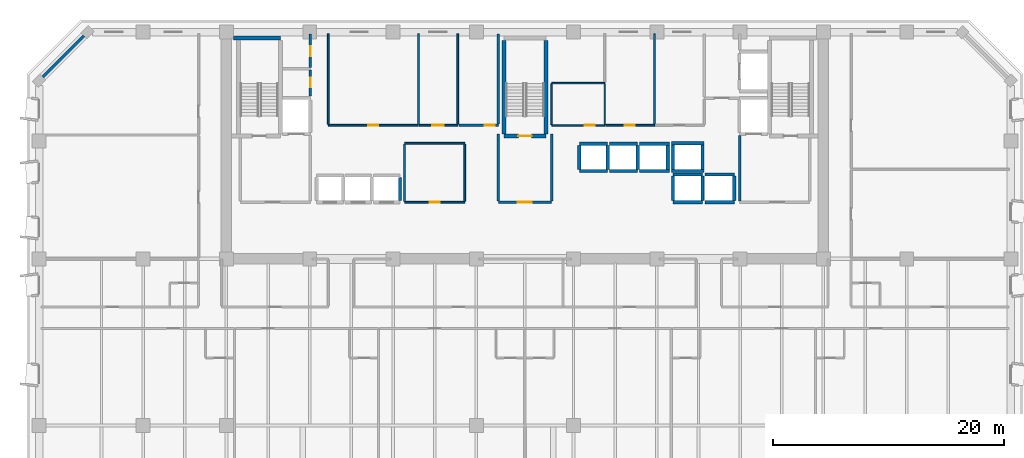
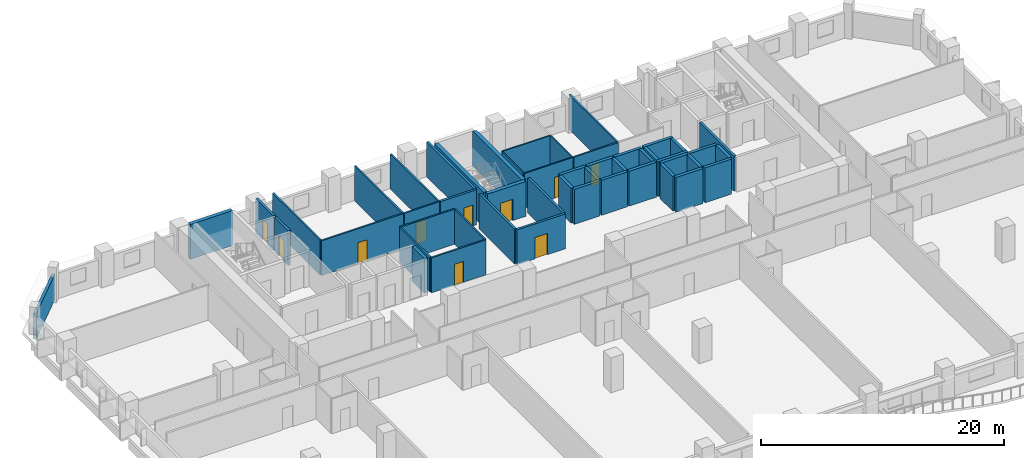
# One storey, part 7 of 15: 50 walls, 10 doors, 10 openings.
"""IFC4 building model written with IfcOpenShell, lengths in metres."""

from ifc_helpers import new_model, si_unit, direction, frame, frame_2d, origin, place, context, subcontext, project, spatial, rectangle, extrude, material, layer, layer_set, type_object, element, fill, save


model = new_model("IFC4")

# Units and contexts
model_context = context("Model", 3, precision=1e-05, world=origin(), true_north=direction((0.0, 1.0)))
body_context = subcontext(model_context, "Body", "Model", "MODEL_VIEW")
ifc_project = project(units=[si_unit("LENGTHUNIT", "METRE"), si_unit("AREAUNIT", "SQUARE_METRE"), si_unit("VOLUMEUNIT", "CUBIC_METRE"), si_unit("PLANEANGLEUNIT", "RADIAN"), si_unit("MASSUNIT", "GRAM", prefix="KILO")], contexts=[model_context])

# Site, building, storey
site_placement = place(None, origin())
site = spatial("IfcSite", under=ifc_project, at=site_placement, CompositionType="ELEMENT")
building_placement = place(site_placement, origin())
building = spatial("IfcBuilding", under=site, at=building_placement, Name="Kaelvorn Grand Hotel", CompositionType="ELEMENT")
storey_placement = place(building_placement, frame((0.0, 0.0, 108.050048828125)))
storey = spatial("IfcBuildingStorey", under=building, at=storey_placement, Name="L25", CompositionType="ELEMENT", Elevation=108.050048828125)

# Wall
ifc_material_1 = material(Name="Concrete C40/50", Category="concrete")
ifc_layer_1 = layer(ifc_material_1, 0.260009765625)
ifc_layer_set_1 = layer_set([ifc_layer_1], Name="Concrete C40/50")
wall_type_1 = type_object("IfcWallType", Name="WL-EXT-260-C40", PredefinedType="SOLIDWALL", material=ifc_layer_set_1)
wall_1_placement = place(storey_placement, frame((4.199951171875, 49.0, 0.0), z_axis=(0.0, 0.0, 1.0), x_axis=(-0.707106781187, -0.707106781187, 0.0)))
element("IfcWall", 1, at=wall_1_placement, inside=storey, type_object=wall_type_1, Name="L25 Exterior Architectural Concrete Wall 06", PredefinedType="SOLIDWALL", context=body_context, shape_type="SweptSolid", body=[
    extrude(rectangle(XDim=5.939697265625, YDim=0.260009765625, at=frame_2d((2.9697265625, 0.0))), origin(), (0.0, 0.0, 1.0), 2.56005859375),
])

# Wall, opening, door
ifc_material_2 = material(Name="Moisture-Resistant Tile & Stud Board")
ifc_layer_2 = layer(ifc_material_2, 0.125)
ifc_layer_set_2 = layer_set([ifc_layer_2], Name="Moisture-Resistant Tile & Stud Board")
wall_type_2 = type_object("IfcWallType", Name="WL-PART-125-WET", PredefinedType="PARTITIONING", material=ifc_layer_set_2)
wall_2_placement = place(storey_placement, frame((44.300048828125, 40.949951171875, 0.0), z_axis=(0.0, 0.0, 1.0), x_axis=(1.0, 0.0, 0.0)))
wall_2 = element("IfcWall", 2, at=wall_2_placement, inside=storey, type_object=wall_type_2, Name="L25 Accessible WC S Partition", PredefinedType="PARTITIONING", context=body_context, shape_type="SweptSolid", body=[
    extrude(rectangle(XDim=4.599853515625, YDim=0.125, at=frame_2d((2.2998046875, 0.0))), origin(), (0.0, 0.0, 1.0), 3.510009765625),
])
opening_1_placement = place(wall_2_placement, frame((2.85009765625, 0.0, 0.0)))
opening_1 = element("IfcOpeningElement", 3, at=opening_1_placement, cuts=wall_2, Name="Opening DI4", PredefinedType="OPENING", context=body_context, shape_type="SweptSolid", body=[
    extrude(rectangle(XDim=0.89990234375, YDim=2.10009765625, at=frame_2d((0.449951171875, 1.050048828125))), frame((0.0, 0.072509765625, 0.0), z_axis=(0.0, -1.0, 0.0), x_axis=(1.0, 0.0, 0.0)), (0.0, 0.0, 1.0), 0.14501953125),
])
ifc_material_3 = material(Name="Timber Veneer Leaf", Category="wood")
door_type_1 = type_object("IfcDoorType", Name="DR-INT-BATH-900x2100", OperationType="NOTDEFINED", PredefinedType="DOOR", material=ifc_material_3)
door_1_placement = place(opening_1_placement, origin())
door_1 = element("IfcDoor", 4, at=door_1_placement, inside=storey, type_object=door_type_1, Name="L25 Accessible WC Door", OperationType="SINGLE_SWING_LEFT", OverallHeight=2.10009765625, OverallWidth=0.89990234375, PredefinedType="DOOR", context=body_context, shape_type="SweptSolid", body=[
    extrude(rectangle(XDim=0.89990234375, YDim=2.10009765625, at=frame_2d((0.449951171875, 1.050048828125))), frame((0.0, 0.02490234375, 0.0), z_axis=(0.0, -1.0, 0.0), x_axis=(1.0, 0.0, 0.0)), (0.0, 0.0, 1.0), 0.050048828125),
])
fill(opening_1, door_1)

# Walls
wall_3_placement = place(storey_placement, frame((44.300048828125, 44.60009765625, 0.0), z_axis=(0.0, 0.0, 1.0), x_axis=(1.0, 0.0, 0.0)))
element("IfcWall", 5, at=wall_3_placement, inside=storey, type_object=wall_type_2, Name="L25 Accessible WC N Partition", PredefinedType="PARTITIONING", context=body_context, shape_type="SweptSolid", body=[
    extrude(rectangle(XDim=4.599853515625, YDim=0.125, at=frame_2d((2.2998046875, 0.0))), origin(), (0.0, 0.0, 1.0), 3.510009765625),
])
for number, where, z_axis, x_axis, name in (
    (6, (44.300048828125, 41.017578125, 0.0), (0.0, 0.0, 1.0), (0.0, 1.0, 0.0), "L25 Accessible WC W Partition"),
    (7, (48.89990234375, 41.017578125, 0.0), (0.0, 0.0, 1.0), (0.0, 1.0, 0.0), "L25 Accessible WC E Partition"),
):
    element("IfcWall", number, at=place(storey_placement, frame(where, z_axis=z_axis, x_axis=x_axis)), inside=storey, type_object=wall_type_2, Name=name, PredefinedType="PARTITIONING", context=body_context, shape_type="SweptSolid", body=[
        extrude(rectangle(XDim=3.514892578125, YDim=0.125, at=frame_2d((1.75732421875, 0.0))), origin(), (0.0, 0.0, 1.0), 3.510009765625),
    ])

# Wall, opening, door
ifc_material_4 = material(Name="Acoustic Gypsum & Stud Partition")
ifc_layer_3 = layer(ifc_material_4, 0.14990234375)
ifc_layer_set_3 = layer_set([ifc_layer_3], Name="Acoustic Gypsum & Stud Partition")
wall_type_3 = type_object("IfcWallType", Name="WL-PART-150-EI60", PredefinedType="PARTITIONING", material=ifc_layer_set_3)
wall_4_placement = place(storey_placement, frame((31.60009765625, 34.300048828125, 0.0), z_axis=(0.0, 0.0, 1.0), x_axis=(1.0, 0.0, 0.0)))
wall_4 = element("IfcWall", 8, at=wall_4_placement, inside=storey, type_object=wall_type_3, Name="L25 Core Telecoms & BMS Server Room S Partition", PredefinedType="PARTITIONING", context=body_context, shape_type="SweptSolid", body=[
    extrude(rectangle(XDim=5.199951171875, YDim=0.14990234375, at=frame_2d((2.60009765625, 0.0))), origin(), (0.0, 0.0, 1.0), 3.510009765625),
])
opening_2_placement = place(wall_4_placement, frame((2.175048828125, 0.0, 0.0)))
opening_2 = element("IfcOpeningElement", 9, at=opening_2_placement, cuts=wall_4, Name="Opening DI7", PredefinedType="OPENING", context=body_context, shape_type="SweptSolid", body=[
    extrude(rectangle(XDim=0.85009765625, YDim=2.10009765625, at=frame_2d((0.425048828125, 1.050048828125))), frame((0.0, 0.0849609375, 0.0), z_axis=(0.0, -1.0, 0.0), x_axis=(1.0, 0.0, 0.0)), (0.0, 0.0, 1.0), 0.169921875),
])
ifc_material_5 = material(Name="Powder-Coated Steel Leaf", Category="steel")
door_type_2 = type_object("IfcDoorType", Name="DR-INT-RISER-850x2100", OperationType="NOTDEFINED", PredefinedType="DOOR", material=ifc_material_5)
door_2_placement = place(opening_2_placement, origin())
door_2 = element("IfcDoor", 10, at=door_2_placement, inside=storey, type_object=door_type_2, Name="L25 Core Telecoms & BMS Server Room Door", OperationType="SINGLE_SWING_LEFT", OverallHeight=2.10009765625, OverallWidth=0.85009765625, PredefinedType="DOOR", context=body_context, shape_type="SweptSolid", body=[
    extrude(rectangle(XDim=0.85009765625, YDim=2.10009765625, at=frame_2d((0.425048828125, 1.050048828125))), frame((0.0, 0.02490234375, 0.0), z_axis=(0.0, -1.0, 0.0), x_axis=(1.0, 0.0, 0.0)), (0.0, 0.0, 1.0), 0.050048828125),
])
fill(opening_2, door_2)

# Walls
wall_5_placement = place(storey_placement, frame((31.60009765625, 39.39990234375, 0.0), z_axis=(0.0, 0.0, 1.0), x_axis=(1.0, 0.0, 0.0)))
element("IfcWall", 11, at=wall_5_placement, inside=storey, type_object=wall_type_3, Name="L25 Core Telecoms & BMS Server Room N Partition", PredefinedType="PARTITIONING", context=body_context, shape_type="SweptSolid", body=[
    extrude(rectangle(XDim=5.199951171875, YDim=0.14990234375, at=frame_2d((2.60009765625, 0.0))), origin(), (0.0, 0.0, 1.0), 3.510009765625),
])
for number, where, z_axis, x_axis, name in (
    (12, (31.60009765625, 34.3798828125, 0.0), (0.0, 0.0, 1.0), (0.0, 1.0, 0.0), "L25 Core Telecoms & BMS Server Room W Partition"),
    (13, (36.800048828125, 34.3798828125, 0.0), (0.0, 0.0, 1.0), (0.0, 1.0, 0.0), "L25 Core Telecoms & BMS Server Room E Partition"),
):
    element("IfcWall", number, at=place(storey_placement, frame(where, z_axis=z_axis, x_axis=x_axis)), inside=storey, type_object=wall_type_3, Name=name, PredefinedType="PARTITIONING", context=body_context, shape_type="SweptSolid", body=[
        extrude(rectangle(XDim=4.940185546875, YDim=0.14990234375, at=frame_2d((2.47021484375, 0.0))), origin(), (0.0, 0.0, 1.0), 3.510009765625),
    ])

# Wall, opening, door
wall_6_placement = place(storey_placement, frame((25.0, 40.949951171875, 0.0), z_axis=(0.0, 0.0, 1.0), x_axis=(1.0, 0.0, 0.0)))
wall_6 = element("IfcWall", 14, at=wall_6_placement, inside=storey, type_object=wall_type_3, Name="L25 Housekeeping & Linen Room S Partition", PredefinedType="PARTITIONING", context=body_context, shape_type="SweptSolid", body=[
    extrude(rectangle(XDim=7.800048828125, YDim=0.14990234375, at=frame_2d((3.89990234375, 0.0))), origin(), (0.0, 0.0, 1.0), 3.510009765625),
])
opening_3_placement = place(wall_6_placement, frame((3.47509765625, 0.0, 0.0)))
opening_3 = element("IfcOpeningElement", 15, at=opening_3_placement, cuts=wall_6, Name="Opening DI7", PredefinedType="OPENING", context=body_context, shape_type="SweptSolid", body=[
    extrude(rectangle(XDim=0.85009765625, YDim=2.10009765625, at=frame_2d((0.425048828125, 1.050048828125))), frame((0.0, 0.0849609375, 0.0), z_axis=(0.0, -1.0, 0.0), x_axis=(1.0, 0.0, 0.0)), (0.0, 0.0, 1.0), 0.169921875),
])
door_3_placement = place(opening_3_placement, origin())
door_3 = element("IfcDoor", 16, at=door_3_placement, inside=storey, type_object=door_type_2, Name="L25 Housekeeping & Linen Room Door", OperationType="SINGLE_SWING_RIGHT", OverallHeight=2.10009765625, OverallWidth=0.85009765625, PredefinedType="DOOR", context=body_context, shape_type="SweptSolid", body=[
    extrude(rectangle(XDim=0.85009765625, YDim=2.10009765625, at=frame_2d((0.425048828125, 1.050048828125))), frame((0.0, 0.02490234375, 0.0), z_axis=(0.0, -1.0, 0.0), x_axis=(1.0, 0.0, 0.0)), (0.0, 0.0, 1.0), 0.050048828125),
])
fill(opening_3, door_3)

# Walls
for number, where, z_axis, x_axis, name in (
    (17, (25.0, 41.030029296875, 0.0), (0.0, 0.0, 1.0), (0.0, 1.0, 0.0), "L25 Housekeeping & Linen Room W Partition"),
    (18, (32.800048828125, 41.030029296875, 0.0), (0.0, 0.0, 1.0), (0.0, 1.0, 0.0), "L25 Housekeeping & Linen Room E Partition"),
):
    element("IfcWall", number, at=place(storey_placement, frame(where, z_axis=z_axis, x_axis=x_axis)), inside=storey, type_object=wall_type_3, Name=name, PredefinedType="PARTITIONING", context=body_context, shape_type="SweptSolid", body=[
        extrude(rectangle(XDim=7.820068359375, YDim=0.14990234375, at=frame_2d((3.91015625, 0.0))), origin(), (0.0, 0.0, 1.0), 3.510009765625),
    ])

# Wall, opening, door
wall_7_placement = place(storey_placement, frame((32.8798828125, 40.949951171875, 0.0), z_axis=(0.0, 0.0, 1.0), x_axis=(1.0, 0.0, 0.0)))
wall_7 = element("IfcWall", 19, at=wall_7_placement, inside=storey, type_object=wall_type_3, Name="L25 Floor Butler Tea Point S Partition", PredefinedType="PARTITIONING", context=body_context, shape_type="SweptSolid", body=[
    extrude(rectangle(XDim=3.320068359375, YDim=0.14990234375, at=frame_2d((1.66015625, 0.0))), origin(), (0.0, 0.0, 1.0), 3.510009765625),
])
opening_4_placement = place(wall_7_placement, frame((1.1201171875, 0.0, 0.0)))
opening_4 = element("IfcOpeningElement", 20, at=opening_4_placement, cuts=wall_7, Name="Opening DI3", PredefinedType="OPENING", context=body_context, shape_type="SweptSolid", body=[
    extrude(rectangle(XDim=1.0, YDim=2.14990234375, at=frame_2d((0.5, 1.074951171875))), frame((0.0, 0.0849609375, 0.0), z_axis=(0.0, -1.0, 0.0), x_axis=(1.0, 0.0, 0.0)), (0.0, 0.0, 1.0), 0.169921875),
])
ifc_material_6 = material(Name="Timber Veneer Fire Leaf", Category="wood")
door_type_3 = type_object("IfcDoorType", Name="DR-INT-GUEST-1000x2150", OperationType="NOTDEFINED", PredefinedType="DOOR", material=ifc_material_6)
door_4_placement = place(opening_4_placement, origin())
door_4 = element("IfcDoor", 21, at=door_4_placement, inside=storey, type_object=door_type_3, Name="L25 Floor Butler Tea Point Door", OperationType="SINGLE_SWING_LEFT", OverallHeight=2.14990234375, OverallWidth=1.0, PredefinedType="DOOR", context=body_context, shape_type="SweptSolid", body=[
    extrude(rectangle(XDim=1.0, YDim=2.14990234375, at=frame_2d((0.5, 1.074951171875))), frame((0.0, 0.02490234375, 0.0), z_axis=(0.0, -1.0, 0.0), x_axis=(1.0, 0.0, 0.0)), (0.0, 0.0, 1.0), 0.050048828125),
])
fill(opening_4, door_4)

# Wall
wall_8_placement = place(storey_placement, frame((36.199951171875, 41.030029296875, 0.0), z_axis=(0.0, 0.0, 1.0), x_axis=(0.0, 1.0, 0.0)))
element("IfcWall", 22, at=wall_8_placement, inside=storey, type_object=wall_type_3, Name="L25 Floor Butler Tea Point E Partition", PredefinedType="PARTITIONING", context=body_context, shape_type="SweptSolid", body=[
    extrude(rectangle(XDim=7.820068359375, YDim=0.14990234375, at=frame_2d((3.91015625, 0.0))), origin(), (0.0, 0.0, 1.0), 3.510009765625),
])

# Wall, opening, door
wall_9_placement = place(storey_placement, frame((48.967529296875, 40.949951171875, 0.0), z_axis=(0.0, 0.0, 1.0), x_axis=(1.0, 0.0, 0.0)))
wall_9 = element("IfcWall", 23, at=wall_9_placement, inside=storey, type_object=wall_type_3, Name="L25 Minibar & Glassware Store S Partition", PredefinedType="PARTITIONING", context=body_context, shape_type="SweptSolid", body=[
    extrude(rectangle(XDim=4.232421875, YDim=0.14990234375, at=frame_2d((2.1162109375, 0.0))), origin(), (0.0, 0.0, 1.0), 3.510009765625),
])
opening_5_placement = place(wall_9_placement, frame((1.657470703125, 0.0, 0.0)))
opening_5 = element("IfcOpeningElement", 24, at=opening_5_placement, cuts=wall_9, Name="Opening DI7", PredefinedType="OPENING", context=body_context, shape_type="SweptSolid", body=[
    extrude(rectangle(XDim=0.85009765625, YDim=2.10009765625, at=frame_2d((0.425048828125, 1.050048828125))), frame((0.0, 0.0849609375, 0.0), z_axis=(0.0, -1.0, 0.0), x_axis=(1.0, 0.0, 0.0)), (0.0, 0.0, 1.0), 0.169921875),
])
door_5_placement = place(opening_5_placement, origin())
door_5 = element("IfcDoor", 25, at=door_5_placement, inside=storey, type_object=door_type_2, Name="L25 Minibar & Glassware Store Door", OperationType="SINGLE_SWING_RIGHT", OverallHeight=2.10009765625, OverallWidth=0.85009765625, PredefinedType="DOOR", context=body_context, shape_type="SweptSolid", body=[
    extrude(rectangle(XDim=0.85009765625, YDim=2.10009765625, at=frame_2d((0.425048828125, 1.050048828125))), frame((0.0, 0.02490234375, 0.0), z_axis=(0.0, -1.0, 0.0), x_axis=(1.0, 0.0, 0.0)), (0.0, 0.0, 1.0), 0.050048828125),
])
fill(opening_5, door_5)

# Walls
wall_10_placement = place(storey_placement, frame((53.199951171875, 41.030029296875, 0.0), z_axis=(0.0, 0.0, 1.0), x_axis=(0.0, 1.0, 0.0)))
element("IfcWall", 26, at=wall_10_placement, inside=storey, type_object=wall_type_3, Name="L25 Minibar & Glassware Store E Partition", PredefinedType="PARTITIONING", context=body_context, shape_type="SweptSolid", body=[
    extrude(rectangle(XDim=7.820068359375, YDim=0.14990234375, at=frame_2d((3.91015625, 0.0))), origin(), (0.0, 0.0, 1.0), 3.510009765625),
])
ifc_layer_4 = layer(ifc_material_1, 0.219970703125)
ifc_layer_set_4 = layer_set([ifc_layer_4], Name="Concrete C40/50")
wall_type_4 = type_object("IfcWallType", Name="WL-PART-220-EI120", PredefinedType="PARTITIONING", material=ifc_layer_set_4)
wall_11_placement = place(storey_placement, frame((60.550048828125, 34.4150390625, 0.0), z_axis=(0.0, 0.0, 1.0), x_axis=(0.0, 1.0, 0.0)))
element("IfcWall", 27, at=wall_11_placement, inside=storey, type_object=wall_type_4, Name="L25 Firefighting Lift Lobby 2 W Partition", PredefinedType="PARTITIONING", context=body_context, shape_type="SweptSolid", body=[
    extrude(rectangle(XDim=5.639892578125, YDim=0.219970703125, at=frame_2d((2.81982421875, 0.0))), origin(), (0.0, 0.0, 1.0), 3.510009765625),
])

# Wall, opening, door
wall_12_placement = place(storey_placement, frame((39.699951171875, 34.300048828125, 0.0), z_axis=(0.0, 0.0, 1.0), x_axis=(1.0, 0.0, 0.0)))
wall_12 = element("IfcWall", 28, at=wall_12_placement, inside=storey, type_object=wall_type_4, Name="L25 Central Stair Escape Vestibule S Partition", PredefinedType="PARTITIONING", context=body_context, shape_type="SweptSolid", body=[
    extrude(rectangle(XDim=4.60009765625, YDim=0.219970703125, at=frame_2d((2.300048828125, 0.0))), origin(), (0.0, 0.0, 1.0), 3.510009765625),
])
opening_6_placement = place(wall_12_placement, frame((1.699951171875, 0.0, 0.0)))
opening_6 = element("IfcOpeningElement", 29, at=opening_6_placement, cuts=wall_12, Name="Opening DI2", PredefinedType="OPENING", context=body_context, shape_type="SweptSolid", body=[
    extrude(rectangle(XDim=1.199951171875, YDim=2.14990234375, at=frame_2d((0.60009765625, 1.074951171875))), frame((0.0, 0.1201171875, 0.0), z_axis=(0.0, -1.0, 0.0), x_axis=(1.0, 0.0, 0.0)), (0.0, 0.0, 1.0), 0.239990234375),
])
door_type_4 = type_object("IfcDoorType", Name="DR-INT-FFLOB-1200x2150", OperationType="NOTDEFINED", PredefinedType="DOOR", material=ifc_material_6)
door_6_placement = place(opening_6_placement, origin())
door_6 = element("IfcDoor", 30, at=door_6_placement, inside=storey, type_object=door_type_4, Name="L25 Central Stair Escape Vestibule Door", OperationType="SINGLE_SWING_LEFT", OverallHeight=2.14990234375, OverallWidth=1.199951171875, PredefinedType="DOOR", context=body_context, shape_type="SweptSolid", body=[
    extrude(rectangle(XDim=1.199951171875, YDim=2.14990234375, at=frame_2d((0.60009765625, 1.074951171875))), frame((0.0, 0.02490234375, 0.0), z_axis=(0.0, -1.0, 0.0), x_axis=(1.0, 0.0, 0.0)), (0.0, 0.0, 1.0), 0.050048828125),
])
fill(opening_6, door_6)

# Walls
for number, where, z_axis, x_axis, name in (
    (31, (39.699951171875, 34.4150390625, 0.0), (0.0, 0.0, 1.0), (0.0, 1.0, 0.0), "L25 Central Stair Escape Vestibule W Partition"),
    (32, (44.300048828125, 34.4150390625, 0.0), (0.0, 0.0, 1.0), (0.0, 1.0, 0.0), "L25 Central Stair Escape Vestibule E Partition"),
):
    element("IfcWall", number, at=place(storey_placement, frame(where, z_axis=z_axis, x_axis=x_axis)), inside=storey, type_object=wall_type_4, Name=name, PredefinedType="PARTITIONING", context=body_context, shape_type="SweptSolid", body=[
        extrude(rectangle(XDim=5.784912109375, YDim=0.219970703125, at=frame_2d((2.892578125, 0.0))), origin(), (0.0, 0.0, 1.0), 3.510009765625),
    ])

# Wall, opening, door
wall_13_placement = place(storey_placement, frame((23.449951171875, 43.5, 0.0), z_axis=(0.0, 0.0, 1.0), x_axis=(0.0, 1.0, 0.0)))
wall_13 = element("IfcWall", 33, at=wall_13_placement, inside=storey, type_object=wall_type_4, Name="L25 Wet Fire & Plumbing Riser Shaft E Partition", PredefinedType="PARTITIONING", context=body_context, shape_type="SweptSolid", body=[
    extrude(rectangle(XDim=2.235107421875, YDim=0.219970703125, at=frame_2d((1.11767578125, 0.0))), origin(), (0.0, 0.0, 1.0), 3.510009765625),
])
opening_7_placement = place(wall_13_placement, frame((0.72509765625, 0.0, 0.0)))
opening_7 = element("IfcOpeningElement", 34, at=opening_7_placement, cuts=wall_13, Name="Opening DI7", PredefinedType="OPENING", context=body_context, shape_type="SweptSolid", body=[
    extrude(rectangle(XDim=0.85009765625, YDim=2.10009765625, at=frame_2d((0.425048828125, 1.050048828125))), frame((0.0, 0.1201171875, 0.0), z_axis=(0.0, -1.0, 0.0), x_axis=(1.0, 0.0, 0.0)), (0.0, 0.0, 1.0), 0.239990234375),
])
door_7_placement = place(opening_7_placement, origin())
door_7 = element("IfcDoor", 35, at=door_7_placement, inside=storey, type_object=door_type_2, Name="L25 Wet Fire & Plumbing Riser Shaft Door", OperationType="SINGLE_SWING_LEFT", OverallHeight=2.10009765625, OverallWidth=0.85009765625, PredefinedType="DOOR", context=body_context, shape_type="SweptSolid", body=[
    extrude(rectangle(XDim=0.85009765625, YDim=2.10009765625, at=frame_2d((0.425048828125, 1.050048828125))), frame((0.0, 0.02490234375, 0.0), z_axis=(0.0, -1.0, 0.0), x_axis=(1.0, 0.0, 0.0)), (0.0, 0.0, 1.0), 0.050048828125),
])
fill(opening_7, door_7)

wall_14_placement = place(storey_placement, frame((23.449951171875, 45.965087890625, 0.0), z_axis=(0.0, 0.0, 1.0), x_axis=(0.0, 1.0, 0.0)))
wall_14 = element("IfcWall", 36, at=wall_14_placement, inside=storey, type_object=wall_type_4, Name="L25 HV Electrical & Smoke Riser E Partition", PredefinedType="PARTITIONING", context=body_context, shape_type="SweptSolid", body=[
    extrude(rectangle(XDim=2.885009765625, YDim=0.219970703125, at=frame_2d((1.4423828125, 0.0))), origin(), (0.0, 0.0, 1.0), 3.510009765625),
])
opening_8_placement = place(wall_14_placement, frame((0.9599609375, 0.0, 0.0)))
opening_8 = element("IfcOpeningElement", 37, at=opening_8_placement, cuts=wall_14, Name="Opening DI7", PredefinedType="OPENING", context=body_context, shape_type="SweptSolid", body=[
    extrude(rectangle(XDim=0.85009765625, YDim=2.10009765625, at=frame_2d((0.425048828125, 1.050048828125))), frame((0.0, 0.1201171875, 0.0), z_axis=(0.0, -1.0, 0.0), x_axis=(1.0, 0.0, 0.0)), (0.0, 0.0, 1.0), 0.239990234375),
])
door_8_placement = place(opening_8_placement, origin())
door_8 = element("IfcDoor", 38, at=door_8_placement, inside=storey, type_object=door_type_2, Name="L25 HV Electrical & Smoke Riser Door", OperationType="SINGLE_SWING_RIGHT", OverallHeight=2.10009765625, OverallWidth=0.85009765625, PredefinedType="DOOR", context=body_context, shape_type="SweptSolid", body=[
    extrude(rectangle(XDim=0.85009765625, YDim=2.10009765625, at=frame_2d((0.425048828125, 1.050048828125))), frame((0.0, 0.02490234375, 0.0), z_axis=(0.0, -1.0, 0.0), x_axis=(1.0, 0.0, 0.0)), (0.0, 0.0, 1.0), 0.050048828125),
])
fill(opening_8, door_8)

wall_15_placement = place(storey_placement, frame((36.280029296875, 40.949951171875, 0.0), z_axis=(0.0, 0.0, 1.0), x_axis=(1.0, 0.0, 0.0)))
wall_15 = element("IfcWall", 39, at=wall_15_placement, inside=storey, type_object=wall_type_4, Name="L25 LV Electrical & Metering Room S Partition", PredefinedType="PARTITIONING", context=body_context, shape_type="SweptSolid", body=[
    extrude(rectangle(XDim=3.419921875, YDim=0.219970703125, at=frame_2d((1.7099609375, 0.0))), origin(), (0.0, 0.0, 1.0), 3.510009765625),
])
opening_9_placement = place(wall_15_placement, frame((2.2451171875, 0.0, 0.0)))
opening_9 = element("IfcOpeningElement", 40, at=opening_9_placement, cuts=wall_15, Name="Opening DI7", PredefinedType="OPENING", context=body_context, shape_type="SweptSolid", body=[
    extrude(rectangle(XDim=0.85009765625, YDim=2.10009765625, at=frame_2d((0.425048828125, 1.050048828125))), frame((0.0, 0.1201171875, 0.0), z_axis=(0.0, -1.0, 0.0), x_axis=(1.0, 0.0, 0.0)), (0.0, 0.0, 1.0), 0.239990234375),
])
door_9_placement = place(opening_9_placement, origin())
door_9 = element("IfcDoor", 41, at=door_9_placement, inside=storey, type_object=door_type_2, Name="L25 LV Electrical & Metering Room Door", OperationType="SINGLE_SWING_RIGHT", OverallHeight=2.10009765625, OverallWidth=0.85009765625, PredefinedType="DOOR", context=body_context, shape_type="SweptSolid", body=[
    extrude(rectangle(XDim=0.85009765625, YDim=2.10009765625, at=frame_2d((0.425048828125, 1.050048828125))), frame((0.0, 0.02490234375, 0.0), z_axis=(0.0, -1.0, 0.0), x_axis=(1.0, 0.0, 0.0)), (0.0, 0.0, 1.0), 0.050048828125),
])
fill(opening_9, door_9)

# Walls
wall_16_placement = place(storey_placement, frame((39.699951171875, 41.06494140625, 0.0), z_axis=(0.0, 0.0, 1.0), x_axis=(0.0, 1.0, 0.0)))
element("IfcWall", 42, at=wall_16_placement, inside=storey, type_object=wall_type_4, Name="L25 LV Electrical & Metering Room E Partition", PredefinedType="PARTITIONING", context=body_context, shape_type="SweptSolid", body=[
    extrude(rectangle(XDim=7.78515625, YDim=0.219970703125, at=frame_2d((3.892578125, 0.0))), origin(), (0.0, 0.0, 1.0), 3.510009765625),
])
ifc_material_7 = material(Name="Concrete C50/60", Category="concrete")
ifc_layer_5 = layer(ifc_material_7, 0.280029296875)
ifc_layer_set_5 = layer_set([ifc_layer_5], Name="Concrete C50/60")
wall_type_5 = type_object("IfcWallType", Name="WL-SHAFT-280-C50", PredefinedType="SHEAR", material=ifc_layer_set_5)
wall_17_placement = place(storey_placement, frame((31.199951171875, 34.445068359375, 0.0), z_axis=(0.0, 0.0, 1.0), x_axis=(0.0, 1.0, 0.0)))
element("IfcWall", 43, at=wall_17_placement, inside=storey, type_object=wall_type_5, Name="L25 Lift PL-L3 Shaft East Wall", PredefinedType="SHEAR", context=body_context, shape_type="SweptSolid", body=[
    extrude(rectangle(XDim=2.010009765625, YDim=0.280029296875, at=frame_2d((1.0048828125, 0.0))), origin(), (0.0, 0.0, 1.0), 3.510009765625),
])
for number, where, z_axis, x_axis, name in (
    (44, (46.699951171875, 37.0, 0.0), (0.0, 0.0, 1.0), (1.0, 0.0, 0.0), "L25 Lift SL-1 Shaft South Wall"),
    (45, (46.699951171875, 39.35009765625, 0.0), (0.0, 0.0, 1.0), (1.0, 0.0, 0.0), "L25 Lift SL-1 Shaft North Wall"),
):
    element("IfcWall", number, at=place(storey_placement, frame(where, z_axis=z_axis, x_axis=x_axis)), inside=storey, type_object=wall_type_5, Name=name, PredefinedType="SHEAR", context=body_context, shape_type="SweptSolid", body=[
        extrude(rectangle(XDim=2.449951171875, YDim=0.280029296875, at=frame_2d((1.22509765625, 0.0))), origin(), (0.0, 0.0, 1.0), 3.510009765625),
    ])
for number, where, z_axis, x_axis, name in (
    (46, (46.699951171875, 37.14501953125, 0.0), (0.0, 0.0, 1.0), (0.0, 1.0, 0.0), "L25 Lift SL-1 Shaft West Wall"),
    (47, (49.14990234375, 37.14501953125, 0.0), (0.0, 0.0, 1.0), (0.0, 1.0, 0.0), "L25 Lift SL-1 Shaft East Wall"),
):
    element("IfcWall", number, at=place(storey_placement, frame(where, z_axis=z_axis, x_axis=x_axis)), inside=storey, type_object=wall_type_5, Name=name, PredefinedType="SHEAR", context=body_context, shape_type="SweptSolid", body=[
        extrude(rectangle(XDim=2.06005859375, YDim=0.280029296875, at=frame_2d((1.030029296875, 0.0))), origin(), (0.0, 0.0, 1.0), 3.510009765625),
    ])
for number, where, z_axis, x_axis, name in (
    (48, (49.300048828125, 37.0, 0.0), (0.0, 0.0, 1.0), (1.0, 0.0, 0.0), "L25 Lift SL-2 Shaft South Wall"),
    (49, (49.300048828125, 39.35009765625, 0.0), (0.0, 0.0, 1.0), (1.0, 0.0, 0.0), "L25 Lift SL-2 Shaft North Wall"),
):
    element("IfcWall", number, at=place(storey_placement, frame(where, z_axis=z_axis, x_axis=x_axis)), inside=storey, type_object=wall_type_5, Name=name, PredefinedType="SHEAR", context=body_context, shape_type="SweptSolid", body=[
        extrude(rectangle(XDim=2.449951171875, YDim=0.280029296875, at=frame_2d((1.22509765625, 0.0))), origin(), (0.0, 0.0, 1.0), 3.510009765625),
    ])
wall_18_placement = place(storey_placement, frame((51.75, 37.14501953125, 0.0), z_axis=(0.0, 0.0, 1.0), x_axis=(0.0, 1.0, 0.0)))
element("IfcWall", 50, at=wall_18_placement, inside=storey, type_object=wall_type_5, Name="L25 Lift SL-2 Shaft East Wall", PredefinedType="SHEAR", context=body_context, shape_type="SweptSolid", body=[
    extrude(rectangle(XDim=2.06005859375, YDim=0.280029296875, at=frame_2d((1.030029296875, 0.0))), origin(), (0.0, 0.0, 1.0), 3.510009765625),
])
for number, where, z_axis, x_axis, name in (
    (51, (51.89990234375, 37.0, 0.0), (0.0, 0.0, 1.0), (1.0, 0.0, 0.0), "L25 Lift SL-3 Shaft South Wall"),
    (52, (51.89990234375, 39.35009765625, 0.0), (0.0, 0.0, 1.0), (1.0, 0.0, 0.0), "L25 Lift SL-3 Shaft North Wall"),
):
    element("IfcWall", number, at=place(storey_placement, frame(where, z_axis=z_axis, x_axis=x_axis)), inside=storey, type_object=wall_type_5, Name=name, PredefinedType="SHEAR", context=body_context, shape_type="SweptSolid", body=[
        extrude(rectangle(XDim=2.590087890625, YDim=0.280029296875, at=frame_2d((1.294921875, 0.0))), origin(), (0.0, 0.0, 1.0), 3.510009765625),
    ])
wall_19_placement = place(storey_placement, frame((54.35009765625, 37.14501953125, 0.0), z_axis=(0.0, 0.0, 1.0), x_axis=(0.0, 1.0, 0.0)))
element("IfcWall", 53, at=wall_19_placement, inside=storey, type_object=wall_type_5, Name="L25 Lift SL-3 Shaft East Wall", PredefinedType="SHEAR", context=body_context, shape_type="SweptSolid", body=[
    extrude(rectangle(XDim=2.06005859375, YDim=0.280029296875, at=frame_2d((1.030029296875, 0.0))), origin(), (0.0, 0.0, 1.0), 3.510009765625),
])
for number, where, z_axis, x_axis, name in (
    (54, (54.800048828125, 34.300048828125, 0.0), (0.0, 0.0, 1.0), (1.0, 0.0, 0.0), "L25 Lift OL-1 Shaft South Wall"),
    (55, (54.800048828125, 36.699951171875, 0.0), (0.0, 0.0, 1.0), (1.0, 0.0, 0.0), "L25 Lift OL-1 Shaft North Wall"),
):
    element("IfcWall", number, at=place(storey_placement, frame(where, z_axis=z_axis, x_axis=x_axis)), inside=storey, type_object=wall_type_5, Name=name, PredefinedType="SHEAR", context=body_context, shape_type="SweptSolid", body=[
        extrude(rectangle(XDim=2.550048828125, YDim=0.280029296875, at=frame_2d((1.27490234375, 0.0))), origin(), (0.0, 0.0, 1.0), 3.510009765625),
    ])
for number, where, z_axis, x_axis, name in (
    (56, (54.800048828125, 34.445068359375, 0.0), (0.0, 0.0, 1.0), (0.0, 1.0, 0.0), "L25 Lift OL-1 Shaft West Wall"),
    (57, (57.35009765625, 34.445068359375, 0.0), (0.0, 0.0, 1.0), (0.0, 1.0, 0.0), "L25 Lift OL-1 Shaft East Wall"),
):
    element("IfcWall", number, at=place(storey_placement, frame(where, z_axis=z_axis, x_axis=x_axis)), inside=storey, type_object=wall_type_5, Name=name, PredefinedType="SHEAR", context=body_context, shape_type="SweptSolid", body=[
        extrude(rectangle(XDim=2.10986328125, YDim=0.280029296875, at=frame_2d((1.054931640625, 0.0))), origin(), (0.0, 0.0, 1.0), 3.510009765625),
    ])
for number, where, z_axis, x_axis, name in (
    (58, (57.550048828125, 34.300048828125, 0.0), (0.0, 0.0, 1.0), (1.0, 0.0, 0.0), "L25 Lift OL-2 Shaft South Wall"),
    (59, (57.550048828125, 36.699951171875, 0.0), (0.0, 0.0, 1.0), (1.0, 0.0, 0.0), "L25 Lift OL-2 Shaft North Wall"),
):
    element("IfcWall", number, at=place(storey_placement, frame(where, z_axis=z_axis, x_axis=x_axis)), inside=storey, type_object=wall_type_5, Name=name, PredefinedType="SHEAR", context=body_context, shape_type="SweptSolid", body=[
        extrude(rectangle(XDim=2.550048828125, YDim=0.280029296875, at=frame_2d((1.27490234375, 0.0))), origin(), (0.0, 0.0, 1.0), 3.510009765625),
    ])
wall_20_placement = place(storey_placement, frame((60.10009765625, 34.445068359375, 0.0), z_axis=(0.0, 0.0, 1.0), x_axis=(0.0, 1.0, 0.0)))
element("IfcWall", 60, at=wall_20_placement, inside=storey, type_object=wall_type_5, Name="L25 Lift OL-2 Shaft East Wall", PredefinedType="SHEAR", context=body_context, shape_type="SweptSolid", body=[
    extrude(rectangle(XDim=2.10986328125, YDim=0.280029296875, at=frame_2d((1.054931640625, 0.0))), origin(), (0.0, 0.0, 1.0), 3.510009765625),
])
for number, where, z_axis, x_axis, name in (
    (61, (54.659912109375, 37.0, 0.0), (0.0, 0.0, 1.0), (1.0, 0.0, 0.0), "L25 Lift OL-3 Shaft South Wall"),
    (62, (54.659912109375, 39.39990234375, 0.0), (0.0, 0.0, 1.0), (1.0, 0.0, 0.0), "L25 Lift OL-3 Shaft North Wall"),
):
    element("IfcWall", number, at=place(storey_placement, frame(where, z_axis=z_axis, x_axis=x_axis)), inside=storey, type_object=wall_type_5, Name=name, PredefinedType="SHEAR", context=body_context, shape_type="SweptSolid", body=[
        extrude(rectangle(XDim=2.830078125, YDim=0.280029296875, at=frame_2d((1.4150390625, 0.0))), origin(), (0.0, 0.0, 1.0), 3.510009765625),
    ])
for number, where, z_axis, x_axis, name in (
    (63, (54.800048828125, 37.14501953125, 0.0), (0.0, 0.0, 1.0), (0.0, 1.0, 0.0), "L25 Lift OL-3 Shaft West Wall"),
    (64, (57.35009765625, 37.14501953125, 0.0), (0.0, 0.0, 1.0), (0.0, 1.0, 0.0), "L25 Lift OL-3 Shaft East Wall"),
):
    element("IfcWall", number, at=place(storey_placement, frame(where, z_axis=z_axis, x_axis=x_axis)), inside=storey, type_object=wall_type_5, Name=name, PredefinedType="SHEAR", context=body_context, shape_type="SweptSolid", body=[
        extrude(rectangle(XDim=2.10986328125, YDim=0.280029296875, at=frame_2d((1.054931640625, 0.0))), origin(), (0.0, 0.0, 1.0), 3.510009765625),
    ])
ifc_material_8 = material(Name="Concrete C60/75", Category="concrete")
ifc_layer_6 = layer(ifc_material_8, 0.35009765625)
ifc_layer_set_6 = layer_set([ifc_layer_6], Name="Concrete C60/75")
wall_type_6 = type_object("IfcWallType", Name="WL-SHAFT-350-C60", PredefinedType="SHEAR", material=ifc_layer_set_6)
wall_21_placement = place(storey_placement, frame((16.804931640625, 48.47509765625, 0.0), z_axis=(0.0, 0.0, 1.0), x_axis=(1.0, 0.0, 0.0)))
element("IfcWall", 65, at=wall_21_placement, inside=storey, type_object=wall_type_6, Name="L25 ST1 Stair Shaft North Wall", PredefinedType="SHEAR", context=body_context, shape_type="SweptSolid", body=[
    extrude(rectangle(XDim=4.050048828125, YDim=0.35009765625, at=frame_2d((2.02490234375, 0.0))), origin(), (0.0, 0.0, 1.0), 3.510009765625),
])

# Wall, opening, door
wall_22_placement = place(storey_placement, frame((40.18505859375, 40.02490234375, 0.0), z_axis=(0.0, 0.0, 1.0), x_axis=(1.0, 0.0, 0.0)))
wall_22 = element("IfcWall", 66, at=wall_22_placement, inside=storey, type_object=wall_type_6, Name="L25 ST2 Stair Shaft South Wall", PredefinedType="SHEAR", context=body_context, shape_type="SweptSolid", body=[
    extrude(rectangle(XDim=3.6298828125, YDim=0.35009765625, at=frame_2d((1.81494140625, 0.0))), origin(), (0.0, 0.0, 1.0), 3.510009765625),
])
opening_10_placement = place(wall_22_placement, frame((1.239990234375, 0.0, 0.0)))
opening_10 = element("IfcOpeningElement", 67, at=opening_10_placement, cuts=wall_22, Name="Opening DI1", PredefinedType="OPENING", context=body_context, shape_type="SweptSolid", body=[
    extrude(rectangle(XDim=1.14990234375, YDim=2.14990234375, at=frame_2d((0.574951171875, 1.074951171875))), frame((0.0, 0.18505859375, 0.0), z_axis=(0.0, -1.0, 0.0), x_axis=(1.0, 0.0, 0.0)), (0.0, 0.0, 1.0), 0.3701171875),
])
door_type_5 = type_object("IfcDoorType", Name="DR-INT-STAIR-1150x2150", OperationType="NOTDEFINED", PredefinedType="DOOR", material=ifc_material_6)
door_10_placement = place(opening_10_placement, origin())
door_10 = element("IfcDoor", 68, at=door_10_placement, inside=storey, type_object=door_type_5, Name="L25 ST2 Exit Stair Fire Door", OperationType="SINGLE_SWING_LEFT", OverallHeight=2.14990234375, OverallWidth=1.14990234375, PredefinedType="DOOR", context=body_context, shape_type="SweptSolid", body=[
    extrude(rectangle(XDim=1.14990234375, YDim=2.14990234375, at=frame_2d((0.574951171875, 1.074951171875))), frame((0.0, 0.02490234375, 0.0), z_axis=(0.0, -1.0, 0.0), x_axis=(1.0, 0.0, 0.0)), (0.0, 0.0, 1.0), 0.050048828125),
])
fill(opening_10, door_10)

# Walls
for number, where, z_axis, x_axis, name in (
    (69, (40.18505859375, 40.205078125, 0.0), (0.0, 0.0, 1.0), (0.0, 1.0, 0.0), "L25 ST2 Stair Shaft West Wall"),
    (70, (43.81494140625, 40.205078125, 0.0), (0.0, 0.0, 1.0), (0.0, 1.0, 0.0), "L25 ST2 Stair Shaft East Wall"),
):
    element("IfcWall", number, at=place(storey_placement, frame(where, z_axis=z_axis, x_axis=x_axis)), inside=storey, type_object=wall_type_6, Name=name, PredefinedType="SHEAR", context=body_context, shape_type="SweptSolid", body=[
        extrude(rectangle(XDim=8.08984375, YDim=0.35009765625, at=frame_2d((4.044921875, 0.0))), origin(), (0.0, 0.0, 1.0), 3.510009765625),
    ])

save(model, "model.ifc")
